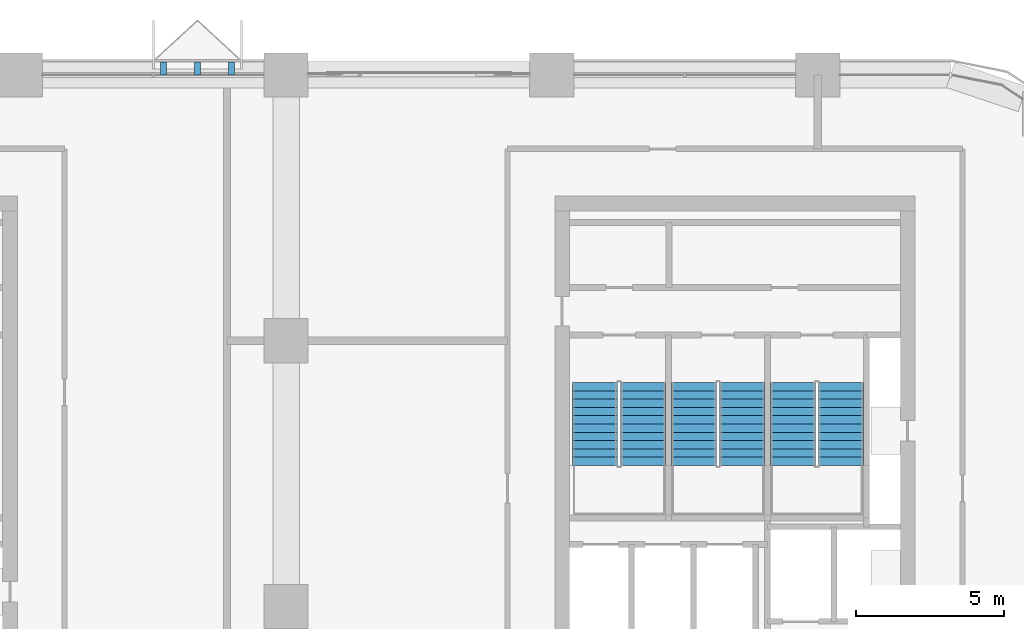
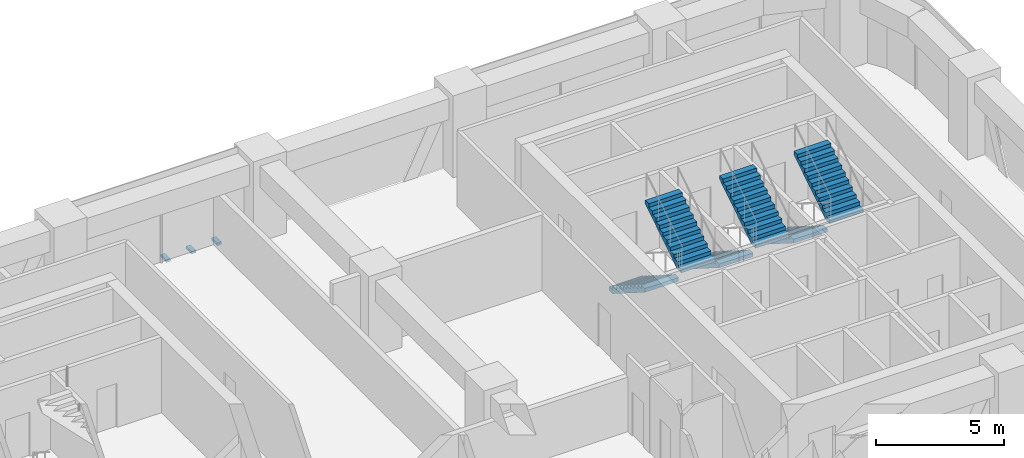
# One storey, part 12 of 14: 6 stair flights, 3 discrete accessories, 3 elements without a shape of their own.
"""IFC4 building model written with IfcOpenShell, lengths in metres."""

from ifc_helpers import new_model, si_unit, direction, frame, origin, origin_2d, place, context, subcontext, project, spatial, polyline, rectangle, outline, extrude, material, type_object, element, aggregate, save


model = new_model("IFC4")

# Units and contexts
model_context = context("Model", 3, precision=1e-05, world=origin(), true_north=direction((0.0, 1.0)))
body_context = subcontext(model_context, "Body", "Model", "MODEL_VIEW")
ifc_project = project(units=[si_unit("LENGTHUNIT", "METRE"), si_unit("AREAUNIT", "SQUARE_METRE"), si_unit("VOLUMEUNIT", "CUBIC_METRE"), si_unit("PLANEANGLEUNIT", "RADIAN"), si_unit("MASSUNIT", "GRAM", prefix="KILO")], contexts=[model_context])

# Site, building, storey
site_placement = place(None, origin())
site = spatial("IfcSite", under=ifc_project, at=site_placement, CompositionType="ELEMENT")
building_placement = place(site_placement, origin())
building = spatial("IfcBuilding", under=site, at=building_placement, Name="Tessera Arch", CompositionType="ELEMENT")
storey_placement = place(building_placement, frame((0.0, 0.0, 177.800048828125)))
storey = spatial("IfcBuildingStorey", under=building, at=storey_placement, Name="L42", CompositionType="ELEMENT", Elevation=177.800048828125)

# Stair, stair flights
ifc_material_1 = material(Name="Concrete C40/50", Category="concrete")
stair_type = type_object("IfcStairType", Name="Dogleg stair 1520", PredefinedType="HALF_TURN_STAIR", material=ifc_material_1)
stair_1_placement = place(storey_placement, origin())
stair_1 = element("IfcStair", 1, at=stair_1_placement, inside=storey, type_object=stair_type, Name="L42 S1a", PredefinedType="HALF_TURN_STAIR")
ifc_material_2 = material(Name="Concrete C40/50", Category="concrete")
stair_flight_type = type_object("IfcStairFlightType", Name="Stair flight 1520", PredefinedType="STRAIGHT", material=ifc_material_2)
stair_flight_1_placement = place(storey_placement, frame((37.4599609375, 43.580078125, 0.0), z_axis=(0.0, 0.0, 1.0), x_axis=(0.0, -1.0, 0.0)))
stair_flight_1 = element("IfcStairFlight", 2, at=stair_flight_1_placement, type_object=stair_flight_type, Name="S1a flight 1", NumberOfRisers=11, NumberOfTreads=10, PredefinedType="STRAIGHT", RiserHeight=0.177272727, TreadLength=0.28, context=body_context, shape_type="SweptSolid", body=[
    extrude(outline(polyline([(0.0, 0.0), (0.0, 0.17724609375), (0.280029296875, 0.17724609375), (0.280029296875, 0.3544921875), (0.56005859375, 0.3544921875), (0.56005859375, 0.53173828125), (0.840087890625, 0.53173828125), (0.840087890625, 0.708984375), (1.1201171875, 0.708984375), (1.1201171875, 0.886474609375), (1.39990234375, 0.886474609375), (1.39990234375, 1.063720703125), (1.679931640625, 1.063720703125), (1.679931640625, 1.240966796875), (1.9599609375, 1.240966796875), (1.9599609375, 1.418212890625), (2.239990234375, 1.418212890625), (2.239990234375, 1.595458984375), (2.52001953125, 1.595458984375), (2.52001953125, 1.772705078125), (2.800048828125, 1.772705078125), (2.800048828125, 1.949951171875), (2.800048828125, 1.59521484375), (0.2802734375, 0.0), (0.0, 0.0)])), frame((0.0, 0.760009765625, 0.0), z_axis=(0.0, -1.0, 0.0), x_axis=(1.0, 0.0, 0.0)), (0.0, 0.0, 1.0), 1.52001953125),
])
stair_flight_2_placement = place(storey_placement, frame((39.090087890625, 40.780029296875, 1.949951171875), z_axis=(0.0, 0.0, 1.0), x_axis=(0.0, 1.0, 0.0)))
stair_flight_2 = element("IfcStairFlight", 3, at=stair_flight_2_placement, type_object=stair_flight_type, Name="S1a flight 2", NumberOfRisers=11, NumberOfTreads=10, PredefinedType="STRAIGHT", RiserHeight=0.177272727, TreadLength=0.28, context=body_context, shape_type="SweptSolid", body=[
    extrude(outline(polyline([(0.0, 0.0), (0.0, 0.17724609375), (0.280029296875, 0.17724609375), (0.280029296875, 0.3544921875), (0.56005859375, 0.3544921875), (0.56005859375, 0.53173828125), (0.840087890625, 0.53173828125), (0.840087890625, 0.708984375), (1.1201171875, 0.708984375), (1.1201171875, 0.886474609375), (1.39990234375, 0.886474609375), (1.39990234375, 1.063720703125), (1.679931640625, 1.063720703125), (1.679931640625, 1.240966796875), (1.9599609375, 1.240966796875), (1.9599609375, 1.418212890625), (2.239990234375, 1.418212890625), (2.239990234375, 1.595458984375), (2.52001953125, 1.595458984375), (2.52001953125, 1.772705078125), (2.800048828125, 1.772705078125), (2.800048828125, 1.949951171875), (2.800048828125, 1.59521484375), (0.2802734375, 0.0), (0.0, 0.0)])), frame((0.0, 0.760009765625, 0.0), z_axis=(0.0, -1.0, 0.0), x_axis=(1.0, 0.0, 0.0)), (0.0, 0.0, 1.0), 1.52001953125),
])
aggregate(stair_1, [stair_flight_1, stair_flight_2])

stair_2_placement = place(storey_placement, origin())
stair_2 = element("IfcStair", 4, at=stair_2_placement, inside=storey, type_object=stair_type, Name="L42 S1b", PredefinedType="HALF_TURN_STAIR")
stair_flight_3_placement = place(storey_placement, frame((40.81005859375, 43.580078125, 0.0), z_axis=(0.0, 0.0, 1.0), x_axis=(0.0, -1.0, 0.0)))
stair_flight_3 = element("IfcStairFlight", 5, at=stair_flight_3_placement, type_object=stair_flight_type, Name="S1b flight 1", NumberOfRisers=11, NumberOfTreads=10, PredefinedType="STRAIGHT", RiserHeight=0.177272727, TreadLength=0.28, context=body_context, shape_type="SweptSolid", body=[
    extrude(outline(polyline([(0.0, 0.0), (0.0, 0.17724609375), (0.280029296875, 0.17724609375), (0.280029296875, 0.3544921875), (0.56005859375, 0.3544921875), (0.56005859375, 0.53173828125), (0.840087890625, 0.53173828125), (0.840087890625, 0.708984375), (1.1201171875, 0.708984375), (1.1201171875, 0.886474609375), (1.39990234375, 0.886474609375), (1.39990234375, 1.063720703125), (1.679931640625, 1.063720703125), (1.679931640625, 1.240966796875), (1.9599609375, 1.240966796875), (1.9599609375, 1.418212890625), (2.239990234375, 1.418212890625), (2.239990234375, 1.595458984375), (2.52001953125, 1.595458984375), (2.52001953125, 1.772705078125), (2.800048828125, 1.772705078125), (2.800048828125, 1.949951171875), (2.800048828125, 1.59521484375), (0.2802734375, 0.0), (0.0, 0.0)])), frame((0.0, 0.760009765625, 0.0), z_axis=(0.0, -1.0, 0.0), x_axis=(1.0, 0.0, 0.0)), (0.0, 0.0, 1.0), 1.52001953125),
])
stair_flight_4_placement = place(storey_placement, frame((42.43994140625, 40.780029296875, 1.949951171875), z_axis=(0.0, 0.0, 1.0), x_axis=(0.0, 1.0, 0.0)))
stair_flight_4 = element("IfcStairFlight", 6, at=stair_flight_4_placement, type_object=stair_flight_type, Name="S1b flight 2", NumberOfRisers=11, NumberOfTreads=10, PredefinedType="STRAIGHT", RiserHeight=0.177272727, TreadLength=0.28, context=body_context, shape_type="SweptSolid", body=[
    extrude(outline(polyline([(0.0, 0.0), (0.0, 0.17724609375), (0.280029296875, 0.17724609375), (0.280029296875, 0.3544921875), (0.56005859375, 0.3544921875), (0.56005859375, 0.53173828125), (0.840087890625, 0.53173828125), (0.840087890625, 0.708984375), (1.1201171875, 0.708984375), (1.1201171875, 0.886474609375), (1.39990234375, 0.886474609375), (1.39990234375, 1.063720703125), (1.679931640625, 1.063720703125), (1.679931640625, 1.240966796875), (1.9599609375, 1.240966796875), (1.9599609375, 1.418212890625), (2.239990234375, 1.418212890625), (2.239990234375, 1.595458984375), (2.52001953125, 1.595458984375), (2.52001953125, 1.772705078125), (2.800048828125, 1.772705078125), (2.800048828125, 1.949951171875), (2.800048828125, 1.59521484375), (0.2802734375, 0.0), (0.0, 0.0)])), frame((0.0, 0.760009765625, 0.0), z_axis=(0.0, -1.0, 0.0), x_axis=(1.0, 0.0, 0.0)), (0.0, 0.0, 1.0), 1.52001953125),
])
aggregate(stair_2, [stair_flight_3, stair_flight_4])

stair_3_placement = place(storey_placement, origin())
stair_3 = element("IfcStair", 7, at=stair_3_placement, inside=storey, type_object=stair_type, Name="L42 S1c", PredefinedType="HALF_TURN_STAIR")
stair_flight_5_placement = place(storey_placement, frame((44.159912109375, 43.580078125, 0.0), z_axis=(0.0, 0.0, 1.0), x_axis=(0.0, -1.0, 0.0)))
stair_flight_5 = element("IfcStairFlight", 8, at=stair_flight_5_placement, type_object=stair_flight_type, Name="S1c flight 1", NumberOfRisers=11, NumberOfTreads=10, PredefinedType="STRAIGHT", RiserHeight=0.177272727, TreadLength=0.28, context=body_context, shape_type="SweptSolid", body=[
    extrude(outline(polyline([(0.0, 0.0), (0.0, 0.17724609375), (0.280029296875, 0.17724609375), (0.280029296875, 0.3544921875), (0.56005859375, 0.3544921875), (0.56005859375, 0.53173828125), (0.840087890625, 0.53173828125), (0.840087890625, 0.708984375), (1.1201171875, 0.708984375), (1.1201171875, 0.886474609375), (1.39990234375, 0.886474609375), (1.39990234375, 1.063720703125), (1.679931640625, 1.063720703125), (1.679931640625, 1.240966796875), (1.9599609375, 1.240966796875), (1.9599609375, 1.418212890625), (2.239990234375, 1.418212890625), (2.239990234375, 1.595458984375), (2.52001953125, 1.595458984375), (2.52001953125, 1.772705078125), (2.800048828125, 1.772705078125), (2.800048828125, 1.949951171875), (2.800048828125, 1.59521484375), (0.2802734375, 0.0), (0.0, 0.0)])), frame((0.0, 0.760009765625, 0.0), z_axis=(0.0, -1.0, 0.0), x_axis=(1.0, 0.0, 0.0)), (0.0, 0.0, 1.0), 1.52001953125),
])
stair_flight_6_placement = place(storey_placement, frame((45.7900390625, 40.780029296875, 1.949951171875), z_axis=(0.0, 0.0, 1.0), x_axis=(0.0, 1.0, 0.0)))
stair_flight_6 = element("IfcStairFlight", 9, at=stair_flight_6_placement, type_object=stair_flight_type, Name="S1c flight 2", NumberOfRisers=11, NumberOfTreads=10, PredefinedType="STRAIGHT", RiserHeight=0.177272727, TreadLength=0.28, context=body_context, shape_type="SweptSolid", body=[
    extrude(outline(polyline([(0.0, 0.0), (0.0, 0.17724609375), (0.280029296875, 0.17724609375), (0.280029296875, 0.3544921875), (0.56005859375, 0.3544921875), (0.56005859375, 0.53173828125), (0.840087890625, 0.53173828125), (0.840087890625, 0.708984375), (1.1201171875, 0.708984375), (1.1201171875, 0.886474609375), (1.39990234375, 0.886474609375), (1.39990234375, 1.063720703125), (1.679931640625, 1.063720703125), (1.679931640625, 1.240966796875), (1.9599609375, 1.240966796875), (1.9599609375, 1.418212890625), (2.239990234375, 1.418212890625), (2.239990234375, 1.595458984375), (2.52001953125, 1.595458984375), (2.52001953125, 1.772705078125), (2.800048828125, 1.772705078125), (2.800048828125, 1.949951171875), (2.800048828125, 1.59521484375), (0.2802734375, 0.0), (0.0, 0.0)])), frame((0.0, 0.760009765625, 0.0), z_axis=(0.0, -1.0, 0.0), x_axis=(1.0, 0.0, 0.0)), (0.0, 0.0, 1.0), 1.52001953125),
])
aggregate(stair_3, [stair_flight_5, stair_flight_6])

# Discrete accessories
for number, where, z_axis, x_axis, name in (
    (10, (25.14990234375, 54.219970703125, -0.1201171875), (0.0, 0.0, 1.0), (0.0, 1.0, 0.0), "Window box bracket"),
    (11, (24.0, 54.219970703125, -0.1201171875), (0.0, 0.0, 1.0), (0.0, 1.0, 0.0), "Window box bracket"),
    (12, (22.85009765625, 54.219970703125, -0.1201171875), (0.0, 0.0, 1.0), (0.0, 1.0, 0.0), "Window box bracket"),
):
    element("IfcDiscreteAccessory", number, at=place(storey_placement, frame(where, z_axis=z_axis, x_axis=x_axis)), inside=storey, Name=name, PredefinedType="BRACKET", context=body_context, shape_type="SweptSolid", body=[
        extrude(rectangle(XDim=0.43994140625, YDim=0.199951171875, at=origin_2d()), origin(), (0.0, 0.0, 1.0), 0.1201171875),
    ])

save(model, "model.ifc")
